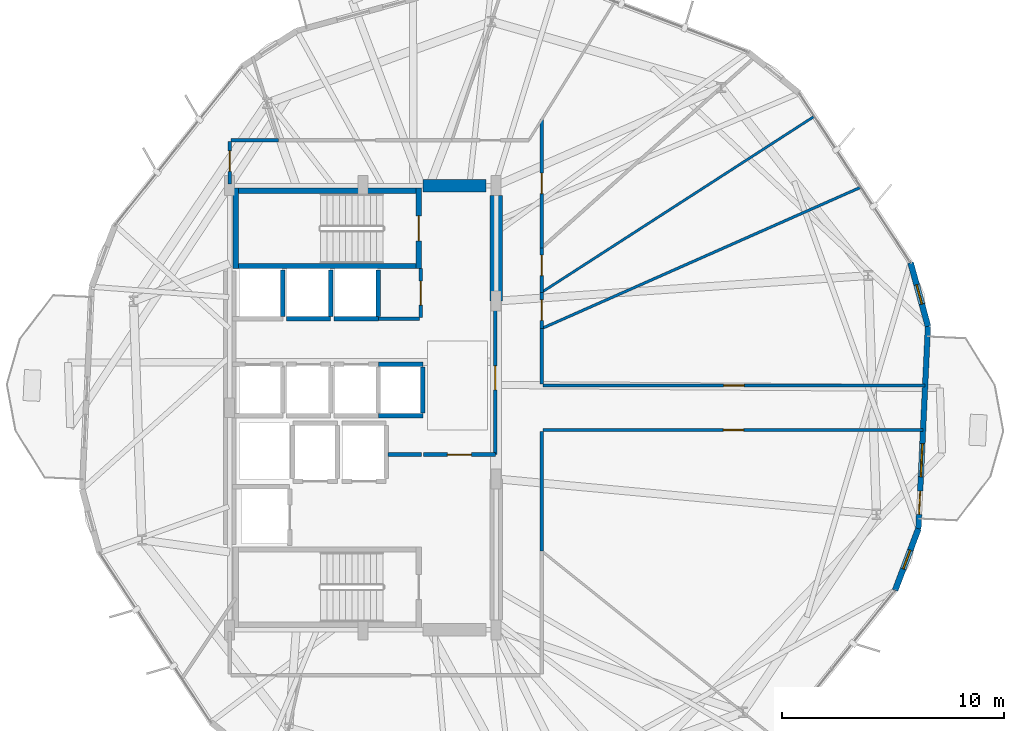
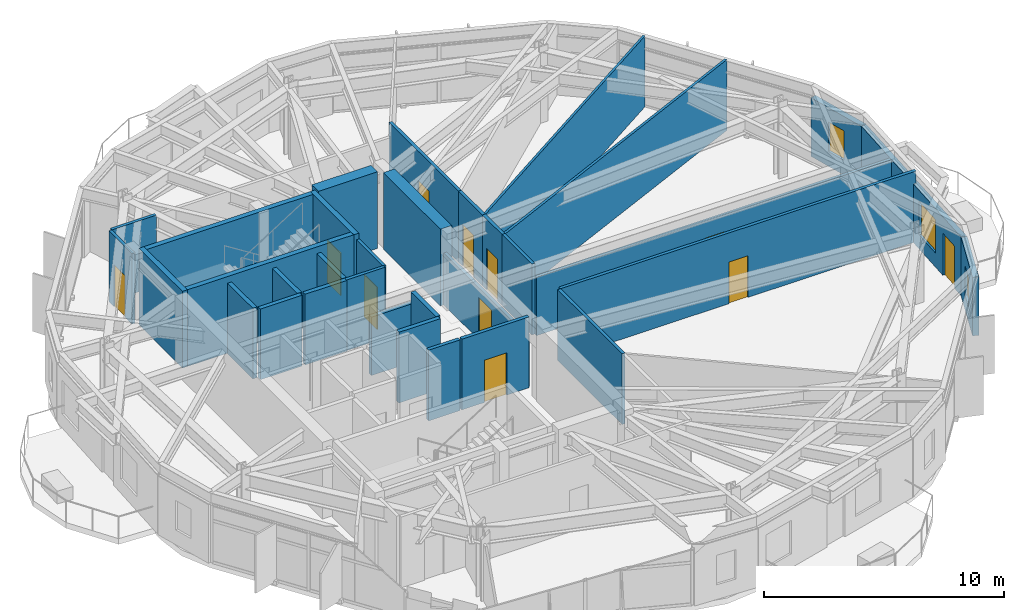
# One storey, part 21 of 25: 33 walls, 11 doors, 3 windows, 14 openings.
"""IFC4 building model written with IfcOpenShell, lengths in metres."""

from ifc_helpers import new_model, si_unit, direction, frame, frame_2d, origin, place, context, subcontext, project, spatial, rectangle, extrude, material, layer, layer_set, type_object, element, fill, save


model = new_model("IFC4")

# Units and contexts
model_context = context("Model", 3, precision=1e-05, world=origin(), true_north=direction((0.0, 1.0)))
body_context = subcontext(model_context, "Body", "Model", "MODEL_VIEW")
ifc_project = project(units=[si_unit("LENGTHUNIT", "METRE"), si_unit("AREAUNIT", "SQUARE_METRE"), si_unit("VOLUMEUNIT", "CUBIC_METRE"), si_unit("PLANEANGLEUNIT", "RADIAN"), si_unit("MASSUNIT", "GRAM", prefix="KILO")], contexts=[model_context])

# Site, building, storey
site_placement = place(None, origin())
site = spatial("IfcSite", under=ifc_project, at=site_placement, CompositionType="ELEMENT")
building_placement = place(site_placement, origin())
building = spatial("IfcBuilding", under=site, at=building_placement, Name="Soratama Intermodal Tower", CompositionType="ELEMENT")
storey_placement = place(building_placement, frame((0.0, 0.0, 87.39990234375)))
storey = spatial("IfcBuildingStorey", under=building, at=storey_placement, Name="L20", CompositionType="ELEMENT", Elevation=87.39990234375)

# Wall, openings, door, window
ifc_material_1 = material(Name="Concrete f'c 42 MPa", Category="concrete")
ifc_layer_1 = layer(ifc_material_1, 0.25)
ifc_layer_set_1 = layer_set([ifc_layer_1], Name="Concrete f'c 42 MPa")
wall_type_1 = type_object("IfcWallType", Name="EW-BAL-250", PredefinedType="SOLIDWALL", material=ifc_layer_set_1)
wall_1_placement = place(storey_placement, frame((63.61279296875, 19.552490234375, 0.0), z_axis=(0.0, 0.0, 1.0), x_axis=(0.047119184575, 0.998889274367, 0.0)))
wall_1 = element("IfcWall", 1, at=wall_1_placement, inside=storey, type_object=wall_type_1, Name="L20 Terrace Wall F10", PredefinedType="SOLIDWALL", context=body_context, shape_type="SweptSolid", body=[
    extrude(rectangle(XDim=9.129638671875, YDim=0.25, at=frame_2d((4.56494140625, 0.0))), origin(), (0.0, 0.0, 1.0), 2.97900390625),
])
opening_1_placement = place(wall_1_placement, frame((0.64990234375, 0.0, 0.0)))
opening_1 = element("IfcOpeningElement", 2, at=opening_1_placement, cuts=wall_1, Name="Opening ED-5", PredefinedType="OPENING", context=body_context, shape_type="SweptSolid", body=[
    extrude(rectangle(XDim=1.050048828125, YDim=2.14990234375, at=frame_2d((0.52490234375, 1.074951171875))), frame((0.0, 0.135009765625, 0.0), z_axis=(0.0, -1.0, 0.0), x_axis=(1.0, 0.0, 0.0)), (0.0, 0.0, 1.0), 0.27001953125),
])
opening_2_placement = place(wall_1_placement, frame((2.340087890625, 0.0, 0.719970703125)))
opening_2 = element("IfcOpeningElement", 3, at=opening_2_placement, cuts=wall_1, Name="Opening WN-1", PredefinedType="OPENING", context=body_context, shape_type="SweptSolid", body=[
    extrude(rectangle(XDim=1.5, YDim=1.699951171875, at=frame_2d((0.75, 0.85009765625))), frame((0.0, 0.135009765625, 0.0), z_axis=(0.0, -1.0, 0.0), x_axis=(1.0, 0.0, 0.0)), (0.0, 0.0, 1.0), 0.27001953125),
])
ifc_material_2 = material(Name="Double-glazed aluminium door", Category="aluminium")
door_type_1 = type_object("IfcDoorType", Name="DR-BAL-1050", OperationType="NOTDEFINED", PredefinedType="DOOR", material=ifc_material_2)
door_1_placement = place(opening_1_placement, origin())
door_1 = element("IfcDoor", 4, at=door_1_placement, inside=storey, type_object=door_type_1, Name="L20 Balcony Door F10", OperationType="SINGLE_SWING_RIGHT", OverallHeight=2.14990234375, OverallWidth=1.050048828125, PredefinedType="DOOR", context=body_context, shape_type="SweptSolid", body=[
    extrude(rectangle(XDim=1.050048828125, YDim=2.14990234375, at=frame_2d((0.52490234375, 1.074951171875))), frame((0.0, 0.02490234375, 0.0), z_axis=(0.0, -1.0, 0.0), x_axis=(1.0, 0.0, 0.0)), (0.0, 0.0, 1.0), 0.050048828125),
])
fill(opening_1, door_1)
ifc_material_3 = material(Name="Double-glazed aluminium window", Category="aluminium")
window_type_1 = type_object("IfcWindowType", Name="WN-FAC-1500", PartitioningType="SINGLE_PANEL", PredefinedType="WINDOW", material=ifc_material_3)
window_1_placement = place(opening_2_placement, origin())
window_1 = element("IfcWindow", 5, at=window_1_placement, inside=storey, type_object=window_type_1, Name="L20 Window B F10", OverallHeight=1.699951171875, OverallWidth=1.5, PartitioningType="SINGLE_PANEL", PredefinedType="WINDOW", context=body_context, shape_type="SweptSolid", body=[
    extrude(rectangle(XDim=1.5, YDim=1.699951171875, at=frame_2d((0.75, 0.85009765625))), frame((0.0, 0.030029296875, 0.0), z_axis=(0.0, -1.0, 0.0), x_axis=(1.0, 0.0, 0.0)), (0.0, 0.0, 1.0), 0.06005859375),
])
fill(opening_2, window_1)

# Wall, opening, window
ifc_material_4 = material(Name="Concrete f'c 42 MPa", Category="concrete")
ifc_layer_2 = layer(ifc_material_4, 0.27001953125)
ifc_layer_set_2 = layer_set([ifc_layer_2], Name="Concrete f'c 42 MPa")
wall_type_2 = type_object("IfcWallType", Name="EW-CRN-270", PredefinedType="SOLIDWALL", material=ifc_layer_set_2)
wall_2_placement = place(storey_placement, frame((62.564208984375, 16.77734375, 0.0), z_axis=(0.0, 0.0, 1.0), x_axis=(0.35345818185, 0.935450326679, 0.0)))
wall_2 = element("IfcWall", 6, at=wall_2_placement, inside=storey, type_object=wall_type_2, Name="L20 Corner Closure Wall 09", PredefinedType="SOLIDWALL", context=body_context, shape_type="SweptSolid", body=[
    extrude(rectangle(XDim=2.966552734375, YDim=0.27001953125, at=frame_2d((1.4833984375, 0.0))), origin(), (0.0, 0.0, 1.0), 2.97900390625),
])
opening_3_placement = place(wall_2_placement, frame((1.033203125, 0.0, 0.75)))
opening_3 = element("IfcOpeningElement", 7, at=opening_3_placement, cuts=wall_2, Name="Opening WN-6", PredefinedType="OPENING", context=body_context, shape_type="SweptSolid", body=[
    extrude(rectangle(XDim=0.89990234375, YDim=1.5, at=frame_2d((0.449951171875, 0.75))), frame((0.0, 0.14501953125, 0.0), z_axis=(0.0, -1.0, 0.0), x_axis=(1.0, 0.0, 0.0)), (0.0, 0.0, 1.0), 0.2900390625),
])
ifc_material_5 = material(Name="Double-glazed aluminium window", Category="aluminium")
window_type_2 = type_object("IfcWindowType", Name="WN-FAC-900", PartitioningType="SINGLE_PANEL", PredefinedType="WINDOW", material=ifc_material_5)
window_2_placement = place(opening_3_placement, origin())
window_2 = element("IfcWindow", 8, at=window_2_placement, inside=storey, type_object=window_type_2, Name="L20 Corner Window 09", OverallHeight=1.5, OverallWidth=0.89990234375, PartitioningType="SINGLE_PANEL", PredefinedType="WINDOW", context=body_context, shape_type="SweptSolid", body=[
    extrude(rectangle(XDim=0.89990234375, YDim=1.5, at=frame_2d((0.449951171875, 0.75))), frame((0.0, 0.030029296875, 0.0), z_axis=(0.0, -1.0, 0.0), x_axis=(1.0, 0.0, 0.0)), (0.0, 0.0, 1.0), 0.06005859375),
])
fill(opening_3, window_2)

wall_3_placement = place(storey_placement, frame((64.04296875, 28.671875, 0.0), z_axis=(0.0, 0.0, 1.0), x_axis=(-0.263855501226, 0.964562219078, 0.0)))
wall_3 = element("IfcWall", 9, at=wall_3_placement, inside=storey, type_object=wall_type_2, Name="L20 Corner Closure Wall 10", PredefinedType="SOLIDWALL", context=body_context, shape_type="SweptSolid", body=[
    extrude(rectangle(XDim=2.966552734375, YDim=0.27001953125, at=frame_2d((1.4833984375, 0.0))), origin(), (0.0, 0.0, 1.0), 2.97900390625),
])
opening_4_placement = place(wall_3_placement, frame((1.033203125, 0.0, 0.75)))
opening_4 = element("IfcOpeningElement", 10, at=opening_4_placement, cuts=wall_3, Name="Opening WN-6", PredefinedType="OPENING", context=body_context, shape_type="SweptSolid", body=[
    extrude(rectangle(XDim=0.89990234375, YDim=1.5, at=frame_2d((0.449951171875, 0.75))), frame((0.0, 0.14501953125, 0.0), z_axis=(0.0, -1.0, 0.0), x_axis=(1.0, 0.0, 0.0)), (0.0, 0.0, 1.0), 0.2900390625),
])
window_3_placement = place(opening_4_placement, origin())
window_3 = element("IfcWindow", 11, at=window_3_placement, inside=storey, type_object=window_type_2, Name="L20 Corner Window 10", OverallHeight=1.5, OverallWidth=0.89990234375, PartitioningType="SINGLE_PANEL", PredefinedType="WINDOW", context=body_context, shape_type="SweptSolid", body=[
    extrude(rectangle(XDim=0.89990234375, YDim=1.5, at=frame_2d((0.449951171875, 0.75))), frame((0.0, 0.030029296875, 0.0), z_axis=(0.0, -1.0, 0.0), x_axis=(1.0, 0.0, 0.0)), (0.0, 0.0, 1.0), 0.06005859375),
])
fill(opening_4, window_3)

# Wall, opening, door
ifc_material_6 = material(Name="Fire-rated gypsum stud partition", Category="concrete")
ifc_layer_3 = layer(ifc_material_6, 0.14990234375)
ifc_layer_set_3 = layer_set([ifc_layer_3], Name="Fire-rated gypsum stud partition")
wall_type_3 = type_object("IfcWallType", Name="IW-PART-R150", PredefinedType="PARTITIONING", material=ifc_layer_set_3)
wall_4_placement = place(storey_placement, frame((46.719970703125, 26.0, 0.0), z_axis=(0.0, 0.0, 1.0), x_axis=(1.0, 0.0, 0.0)))
wall_4 = element("IfcWall", 12, at=wall_4_placement, inside=storey, type_object=wall_type_3, Name="L20 Partition W-L20-TP001", PredefinedType="PARTITIONING", context=body_context, shape_type="SweptSolid", body=[
    extrude(rectangle(XDim=17.197021484375, YDim=0.14990234375, at=frame_2d((8.5986328125, 0.0))), origin(), (0.0, 0.0, 1.0), 2.97412109375),
])
opening_5_placement = place(wall_4_placement, frame((8.1240234375, 0.0, 0.0)))
opening_5 = element("IfcOpeningElement", 13, at=opening_5_placement, cuts=wall_4, Name="Opening ID-6", PredefinedType="OPENING", context=body_context, shape_type="SweptSolid", body=[
    extrude(rectangle(XDim=0.919921875, YDim=2.1201171875, at=frame_2d((0.4599609375, 1.06005859375))), frame((0.0, 0.0849609375, 0.0), z_axis=(0.0, -1.0, 0.0), x_axis=(1.0, 0.0, 0.0)), (0.0, 0.0, 1.0), 0.169921875),
])
ifc_material_7 = material(Name="Solid hardwood acoustic door", Category="wood")
door_type_2 = type_object("IfcDoorType", Name="DR-ROOM-920", OperationType="NOTDEFINED", PredefinedType="DOOR", material=ifc_material_7)
door_2_placement = place(opening_5_placement, origin())
door_2 = element("IfcDoor", 14, at=door_2_placement, inside=storey, type_object=door_type_2, Name="L20 Door D-L20-TP001", OperationType="SINGLE_SWING_RIGHT", OverallHeight=2.1201171875, OverallWidth=0.919921875, PredefinedType="DOOR", context=body_context, shape_type="SweptSolid", body=[
    extrude(rectangle(XDim=0.919921875, YDim=2.1201171875, at=frame_2d((0.4599609375, 1.06005859375))), frame((0.0, 0.02490234375, 0.0), z_axis=(0.0, -1.0, 0.0), x_axis=(1.0, 0.0, 0.0)), (0.0, 0.0, 1.0), 0.050048828125),
])
fill(opening_5, door_2)

wall_5_placement = place(storey_placement, frame((63.822998046875, 24.0, 0.0), z_axis=(0.0, 0.0, 1.0), x_axis=(-1.0, 0.0, 0.0)))
wall_5 = element("IfcWall", 15, at=wall_5_placement, inside=storey, type_object=wall_type_3, Name="L20 Partition W-L20-TP002", PredefinedType="PARTITIONING", context=body_context, shape_type="SweptSolid", body=[
    extrude(rectangle(XDim=17.10302734375, YDim=0.14990234375, at=frame_2d((8.551513671875, 0.0))), origin(), (0.0, 0.0, 1.0), 3.60009765625),
])
opening_6_placement = place(wall_5_placement, frame((8.076904296875, 0.0, 0.0)))
opening_6 = element("IfcOpeningElement", 16, at=opening_6_placement, cuts=wall_5, Name="Opening ID-6", PredefinedType="OPENING", context=body_context, shape_type="SweptSolid", body=[
    extrude(rectangle(XDim=0.919921875, YDim=2.1201171875, at=frame_2d((0.4599609375, 1.06005859375))), frame((0.0, 0.0849609375, 0.0), z_axis=(0.0, -1.0, 0.0), x_axis=(1.0, 0.0, 0.0)), (0.0, 0.0, 1.0), 0.169921875),
])
door_3_placement = place(opening_6_placement, origin())
door_3 = element("IfcDoor", 17, at=door_3_placement, inside=storey, type_object=door_type_2, Name="L20 Door D-L20-TP002", OperationType="SINGLE_SWING_LEFT", OverallHeight=2.1201171875, OverallWidth=0.919921875, PredefinedType="DOOR", context=body_context, shape_type="SweptSolid", body=[
    extrude(rectangle(XDim=0.919921875, YDim=2.1201171875, at=frame_2d((0.4599609375, 1.06005859375))), frame((0.0, 0.02490234375, 0.0), z_axis=(0.0, -1.0, 0.0), x_axis=(1.0, 0.0, 0.0)), (0.0, 0.0, 1.0), 0.050048828125),
])
fill(opening_6, door_3)

wall_6_placement = place(storey_placement, frame((44.56005859375, 29.800048828125, 0.0), z_axis=(0.0, 0.0, 1.0), x_axis=(0.0, -1.0, 0.0)))
wall_6 = element("IfcWall", 18, at=wall_6_placement, inside=storey, type_object=wall_type_3, Name="L20 Partition W-L20-TP011", PredefinedType="PARTITIONING", context=body_context, shape_type="SweptSolid", body=[
    extrude(rectangle(XDim=6.91015625, YDim=0.14990234375, at=frame_2d((3.455078125, 0.0))), origin(), (0.0, 0.0, 1.0), 2.64013671875),
])
opening_7_placement = place(wall_6_placement, frame((2.9150390625, 0.0, 0.0)))
opening_7 = element("IfcOpeningElement", 19, at=opening_7_placement, cuts=wall_6, Name="Opening ID-1", PredefinedType="OPENING", context=body_context, shape_type="SweptSolid", body=[
    extrude(rectangle(XDim=1.080078125, YDim=2.14990234375, at=frame_2d((0.5400390625, 1.074951171875))), frame((0.0, 0.0849609375, 0.0), z_axis=(0.0, -1.0, 0.0), x_axis=(1.0, 0.0, 0.0)), (0.0, 0.0, 1.0), 0.169921875),
])
ifc_material_8 = material(Name="Solid hardwood acoustic door", Category="wood")
door_type_3 = type_object("IfcDoorType", Name="DR-LOB-FD60", OperationType="NOTDEFINED", PredefinedType="DOOR", material=ifc_material_8)
door_4_placement = place(opening_7_placement, origin())
door_4 = element("IfcDoor", 20, at=door_4_placement, inside=storey, type_object=door_type_3, Name="L20 Door D-L20-TP005", OperationType="SINGLE_SWING_RIGHT", OverallHeight=2.14990234375, OverallWidth=1.080078125, PredefinedType="DOOR", context=body_context, shape_type="SweptSolid", body=[
    extrude(rectangle(XDim=1.080078125, YDim=2.14990234375, at=frame_2d((0.5400390625, 1.074951171875))), frame((0.0, 0.02490234375, 0.0), z_axis=(0.0, -1.0, 0.0), x_axis=(1.0, 0.0, 0.0)), (0.0, 0.0, 1.0), 0.050048828125),
])
fill(opening_7, door_4)

wall_7_placement = place(storey_placement, frame((46.64990234375, 37.972900390625, 0.0), z_axis=(0.0, 0.0, 1.0), x_axis=(0.0, -1.0, 0.0)))
wall_7 = element("IfcWall", 21, at=wall_7_placement, inside=storey, type_object=wall_type_3, Name="L20 Partition W-L20-TP012", PredefinedType="PARTITIONING", context=body_context, shape_type="SweptSolid", body=[
    extrude(rectangle(XDim=5.77392578125, YDim=0.14990234375, at=frame_2d((2.886962890625, 0.0))), origin(), (0.0, 0.0, 1.0), 3.60009765625),
])
opening_8_placement = place(wall_7_placement, frame((2.412109375, 0.0, 0.0)))
opening_8 = element("IfcOpeningElement", 22, at=opening_8_placement, cuts=wall_7, Name="Opening ID-6", PredefinedType="OPENING", context=body_context, shape_type="SweptSolid", body=[
    extrude(rectangle(XDim=0.919921875, YDim=2.1201171875, at=frame_2d((0.4599609375, 1.06005859375))), frame((0.0, 0.0849609375, 0.0), z_axis=(0.0, -1.0, 0.0), x_axis=(1.0, 0.0, 0.0)), (0.0, 0.0, 1.0), 0.169921875),
])
door_5_placement = place(opening_8_placement, origin())
door_5 = element("IfcDoor", 23, at=door_5_placement, inside=storey, type_object=door_type_2, Name="L20 Door D-L20-TP006", OperationType="SINGLE_SWING_LEFT", OverallHeight=2.1201171875, OverallWidth=0.919921875, PredefinedType="DOOR", context=body_context, shape_type="SweptSolid", body=[
    extrude(rectangle(XDim=0.919921875, YDim=2.1201171875, at=frame_2d((0.4599609375, 1.06005859375))), frame((0.0, 0.02490234375, 0.0), z_axis=(0.0, -1.0, 0.0), x_axis=(1.0, 0.0, 0.0)), (0.0, 0.0, 1.0), 0.050048828125),
])
fill(opening_8, door_5)

# Walls
wall_8_placement = place(storey_placement, frame((46.64990234375, 23.929931640625, 0.0), z_axis=(0.0, 0.0, 1.0), x_axis=(0.0, -1.0, 0.0)))
element("IfcWall", 24, at=wall_8_placement, inside=storey, type_object=wall_type_3, Name="L20 Partition W-L20-TP014", PredefinedType="PARTITIONING", context=body_context, shape_type="SweptSolid", body=[
    extrude(rectangle(XDim=5.3798828125, YDim=0.14990234375, at=frame_2d((2.68994140625, 0.0))), origin(), (0.0, 0.0, 1.0), 3.60009765625),
])
wall_9_placement = place(storey_placement, frame((46.64990234375, 28.56591796875, 0.0), z_axis=(0.0, 0.0, 1.0), x_axis=(0.0, -1.0, 0.0)))
element("IfcWall", 25, at=wall_9_placement, inside=storey, type_object=wall_type_3, Name="L20 Partition W-L20-TP021", PredefinedType="PARTITIONING", context=body_context, shape_type="SweptSolid", body=[
    extrude(rectangle(XDim=2.495849609375, YDim=0.14990234375, at=frame_2d((1.248046875, 0.0))), origin(), (0.0, 0.0, 1.0), 3.60009765625),
])

# Wall, opening, door
wall_10_placement = place(storey_placement, frame((41.199951171875, 29.070068359375, 0.0), z_axis=(0.0, 0.0, 1.0), x_axis=(0.0, 1.0, 0.0)))
wall_10 = element("IfcWall", 26, at=wall_10_placement, inside=storey, type_object=wall_type_3, Name="L20 Partition W-L20-TP022", PredefinedType="PARTITIONING", context=body_context, shape_type="SweptSolid", body=[
    extrude(rectangle(XDim=2.18994140625, YDim=0.14990234375, at=frame_2d((1.094970703125, 0.0))), origin(), (0.0, 0.0, 1.0), 3.60009765625),
])
opening_9_placement = place(wall_10_placement, frame((0.554931640625, 0.0, 0.0)))
opening_9 = element("IfcOpeningElement", 27, at=opening_9_placement, cuts=wall_10, Name="Opening ID-1", PredefinedType="OPENING", context=body_context, shape_type="SweptSolid", body=[
    extrude(rectangle(XDim=1.080078125, YDim=2.14990234375, at=frame_2d((0.5400390625, 1.074951171875))), frame((0.0, 0.0849609375, 0.0), z_axis=(0.0, -1.0, 0.0), x_axis=(1.0, 0.0, 0.0)), (0.0, 0.0, 1.0), 0.169921875),
])
door_6_placement = place(opening_9_placement, origin())
door_6 = element("IfcDoor", 28, at=door_6_placement, inside=storey, type_object=door_type_3, Name="L20 Door D-L20-TP010", OperationType="SINGLE_SWING_LEFT", OverallHeight=2.14990234375, OverallWidth=1.080078125, PredefinedType="DOOR", context=body_context, shape_type="SweptSolid", body=[
    extrude(rectangle(XDim=1.080078125, YDim=2.14990234375, at=frame_2d((0.5400390625, 1.074951171875))), frame((0.0, 0.02490234375, 0.0), z_axis=(0.0, -1.0, 0.0), x_axis=(1.0, 0.0, 0.0)), (0.0, 0.0, 1.0), 0.050048828125),
])
fill(opening_9, door_6)

# Wall
wall_11_placement = place(storey_placement, frame((32.669921875, 37.050048828125, 0.0), z_axis=(0.0, 0.0, 1.0), x_axis=(1.0, 0.0, 0.0)))
element("IfcWall", 29, at=wall_11_placement, inside=storey, type_object=wall_type_3, Name="L20 Partition W-L20-TP023", PredefinedType="PARTITIONING", context=body_context, shape_type="SweptSolid", body=[
    extrude(rectangle(XDim=2.14013671875, YDim=0.14990234375, at=frame_2d((1.070068359375, 0.0))), origin(), (0.0, 0.0, 1.0), 3.60009765625),
])

# Wall, opening, door
wall_12_placement = place(storey_placement, frame((46.64990234375, 32.198974609375, 0.0), z_axis=(0.0, 0.0, 1.0), x_axis=(0.0, -1.0, 0.0)))
wall_12 = element("IfcWall", 30, at=wall_12_placement, inside=storey, type_object=wall_type_3, Name="L20 Partition W-L20-TP024", PredefinedType="PARTITIONING", context=body_context, shape_type="SweptSolid", body=[
    extrude(rectangle(XDim=2.001953125, YDim=0.14990234375, at=frame_2d((1.0009765625, 0.0))), origin(), (0.0, 0.0, 1.0), 3.60009765625),
])
opening_10_placement = place(wall_12_placement, frame((0.325927734375, 0.0, 0.0)))
opening_10 = element("IfcOpeningElement", 31, at=opening_10_placement, cuts=wall_12, Name="Opening ID-6", PredefinedType="OPENING", context=body_context, shape_type="SweptSolid", body=[
    extrude(rectangle(XDim=0.919921875, YDim=2.1201171875, at=frame_2d((0.4599609375, 1.06005859375))), frame((0.0, 0.0849609375, 0.0), z_axis=(0.0, -1.0, 0.0), x_axis=(1.0, 0.0, 0.0)), (0.0, 0.0, 1.0), 0.169921875),
])
door_7_placement = place(opening_10_placement, origin())
door_7 = element("IfcDoor", 32, at=door_7_placement, inside=storey, type_object=door_type_2, Name="L20 Door D-L20-TP011", OperationType="SINGLE_SWING_RIGHT", OverallHeight=2.1201171875, OverallWidth=0.919921875, PredefinedType="DOOR", context=body_context, shape_type="SweptSolid", body=[
    extrude(rectangle(XDim=0.919921875, YDim=2.1201171875, at=frame_2d((0.4599609375, 1.06005859375))), frame((0.0, 0.02490234375, 0.0), z_axis=(0.0, -1.0, 0.0), x_axis=(1.0, 0.0, 0.0)), (0.0, 0.0, 1.0), 0.050048828125),
])
fill(opening_10, door_7)

wall_13_placement = place(storey_placement, frame((32.60009765625, 35.070068359375, 0.0), z_axis=(0.0, 0.0, 1.0), x_axis=(0.0, 1.0, 0.0)))
wall_13 = element("IfcWall", 33, at=wall_13_placement, inside=storey, type_object=wall_type_3, Name="L20 Partition W-L20-TP026", PredefinedType="PARTITIONING", context=body_context, shape_type="SweptSolid", body=[
    extrude(rectangle(XDim=1.909912109375, YDim=0.14990234375, at=frame_2d((0.955078125, 0.0))), origin(), (0.0, 0.0, 1.0), 3.60009765625),
])
opening_11_placement = place(wall_13_placement, frame((0.574951171875, 0.0, 0.0)))
opening_11 = element("IfcOpeningElement", 34, at=opening_11_placement, cuts=wall_13, Name="Opening ID-6", PredefinedType="OPENING", context=body_context, shape_type="SweptSolid", body=[
    extrude(rectangle(XDim=0.919921875, YDim=2.1201171875, at=frame_2d((0.4599609375, 1.06005859375))), frame((0.0, 0.0849609375, 0.0), z_axis=(0.0, -1.0, 0.0), x_axis=(1.0, 0.0, 0.0)), (0.0, 0.0, 1.0), 0.169921875),
])
door_8_placement = place(opening_11_placement, origin())
door_8 = element("IfcDoor", 35, at=door_8_placement, inside=storey, type_object=door_type_2, Name="L20 Door D-L20-TP012", OperationType="SINGLE_SWING_LEFT", OverallHeight=2.1201171875, OverallWidth=0.919921875, PredefinedType="DOOR", context=body_context, shape_type="SweptSolid", body=[
    extrude(rectangle(XDim=0.919921875, YDim=2.1201171875, at=frame_2d((0.4599609375, 1.06005859375))), frame((0.0, 0.02490234375, 0.0), z_axis=(0.0, -1.0, 0.0), x_axis=(1.0, 0.0, 0.0)), (0.0, 0.0, 1.0), 0.050048828125),
])
fill(opening_11, door_8)

# Wall
wall_14_placement = place(storey_placement, frame((39.300048828125, 29.010009765625, 0.0), z_axis=(0.0, 0.0, 1.0), x_axis=(1.0, 0.0, 0.0)))
element("IfcWall", 36, at=wall_14_placement, inside=storey, type_object=wall_type_3, Name="L20 Partition W-L20-TP027", PredefinedType="PARTITIONING", context=body_context, shape_type="SweptSolid", body=[
    extrude(rectangle(XDim=1.85986328125, YDim=0.14990234375, at=frame_2d((0.929931640625, 0.0))), origin(), (0.0, 0.0, 1.0), 3.60009765625),
])

# Wall, opening, door
wall_15_placement = place(storey_placement, frame((46.64990234375, 30.197021484375, 0.0), z_axis=(0.0, 0.0, 1.0), x_axis=(0.0, -1.0, 0.0)))
wall_15 = element("IfcWall", 37, at=wall_15_placement, inside=storey, type_object=wall_type_3, Name="L20 Partition W-L20-TP028", PredefinedType="PARTITIONING", context=body_context, shape_type="SweptSolid", body=[
    extrude(rectangle(XDim=1.631103515625, YDim=0.14990234375, at=frame_2d((0.8154296875, 0.0))), origin(), (0.0, 0.0, 1.0), 3.60009765625),
])
opening_12_placement = place(wall_15_placement, frame((0.341064453125, 0.0, 0.0)))
opening_12 = element("IfcOpeningElement", 38, at=opening_12_placement, cuts=wall_15, Name="Opening ID-6", PredefinedType="OPENING", context=body_context, shape_type="SweptSolid", body=[
    extrude(rectangle(XDim=0.919921875, YDim=2.1201171875, at=frame_2d((0.4599609375, 1.06005859375))), frame((0.0, 0.0849609375, 0.0), z_axis=(0.0, -1.0, 0.0), x_axis=(1.0, 0.0, 0.0)), (0.0, 0.0, 1.0), 0.169921875),
])
door_9_placement = place(opening_12_placement, origin())
door_9 = element("IfcDoor", 39, at=door_9_placement, inside=storey, type_object=door_type_2, Name="L20 Door D-L20-TP013", OperationType="SINGLE_SWING_RIGHT", OverallHeight=2.1201171875, OverallWidth=0.919921875, PredefinedType="DOOR", context=body_context, shape_type="SweptSolid", body=[
    extrude(rectangle(XDim=0.919921875, YDim=2.1201171875, at=frame_2d((0.4599609375, 1.06005859375))), frame((0.0, 0.02490234375, 0.0), z_axis=(0.0, -1.0, 0.0), x_axis=(1.0, 0.0, 0.0)), (0.0, 0.0, 1.0), 0.050048828125),
])
fill(opening_12, door_9)

ifc_material_9 = material(Name="Fire-rated gypsum stud partition", Category="concrete")
ifc_layer_4 = layer(ifc_material_9, 0.169921875)
ifc_layer_set_4 = layer_set([ifc_layer_4], Name="Fire-rated gypsum stud partition")
wall_type_4 = type_object("IfcWallType", Name="IW-PART-R170", PredefinedType="PARTITIONING", material=ifc_layer_set_4)
wall_16_placement = place(storey_placement, frame((41.320068359375, 22.889892578125, 0.0), z_axis=(0.0, 0.0, 1.0), x_axis=(1.0, 0.0, 0.0)))
wall_16 = element("IfcWall", 40, at=wall_16_placement, inside=storey, type_object=wall_type_4, Name="L20 Partition W-L20-TP019", PredefinedType="PARTITIONING", context=body_context, shape_type="SweptSolid", body=[
    extrude(rectangle(XDim=3.239990234375, YDim=0.169921875, at=frame_2d((1.6201171875, 0.0))), origin(), (0.0, 0.0, 1.0), 3.60009765625),
])
opening_13_placement = place(wall_16_placement, frame((1.080078125, 0.0, 0.0)))
opening_13 = element("IfcOpeningElement", 41, at=opening_13_placement, cuts=wall_16, Name="Opening ID-0", PredefinedType="OPENING", context=body_context, shape_type="SweptSolid", body=[
    extrude(rectangle(XDim=1.080078125, YDim=2.14990234375, at=frame_2d((0.5400390625, 1.074951171875))), frame((0.0, 0.094970703125, 0.0), z_axis=(0.0, -1.0, 0.0), x_axis=(1.0, 0.0, 0.0)), (0.0, 0.0, 1.0), 0.18994140625),
])
ifc_material_10 = material(Name="Solid hardwood acoustic door", Category="wood")
door_type_4 = type_object("IfcDoorType", Name="DR-LOB-FD90", OperationType="NOTDEFINED", PredefinedType="DOOR", material=ifc_material_10)
door_10_placement = place(opening_13_placement, origin())
door_10 = element("IfcDoor", 42, at=door_10_placement, inside=storey, type_object=door_type_4, Name="L20 Door D-L20-TP008", OperationType="SINGLE_SWING_LEFT", OverallHeight=2.14990234375, OverallWidth=1.080078125, PredefinedType="DOOR", context=body_context, shape_type="SweptSolid", body=[
    extrude(rectangle(XDim=1.080078125, YDim=2.14990234375, at=frame_2d((0.5400390625, 1.074951171875))), frame((0.0, 0.02490234375, 0.0), z_axis=(0.0, -1.0, 0.0), x_axis=(1.0, 0.0, 0.0)), (0.0, 0.0, 1.0), 0.050048828125),
])
fill(opening_13, door_10)

# Walls
wall_17_placement = place(storey_placement, frame((39.719970703125, 22.889892578125, 0.0), z_axis=(0.0, 0.0, 1.0), x_axis=(1.0, 0.0, 0.0)))
element("IfcWall", 43, at=wall_17_placement, inside=storey, type_object=wall_type_4, Name="L20 Partition W-L20-TP029", PredefinedType="PARTITIONING", context=body_context, shape_type="SweptSolid", body=[
    extrude(rectangle(XDim=1.52001953125, YDim=0.169921875, at=frame_2d((0.760009765625, 0.0))), origin(), (0.0, 0.0, 1.0), 3.60009765625),
])
ifc_material_11 = material(Name="Fire-rated gypsum stud partition", Category="concrete")
ifc_layer_5 = layer(ifc_material_11, 0.110107421875)
ifc_layer_set_5 = layer_set([ifc_layer_5], Name="Fire-rated gypsum stud partition")
wall_type_5 = type_object("IfcWallType", Name="IW-PART-S110", PredefinedType="PARTITIONING", material=ifc_layer_set_5)
wall_18_placement = place(storey_placement, frame((46.64990234375, 30.197021484375, 0.0), z_axis=(0.0, 0.0, 1.0), x_axis=(0.840128967458, 0.542386686818, 0.0)))
element("IfcWall", 44, at=wall_18_placement, inside=storey, type_object=wall_type_5, Name="L20 Partition W-L20-TP004", PredefinedType="PARTITIONING", context=body_context, shape_type="SweptSolid", body=[
    extrude(rectangle(XDim=14.616943359375, YDim=0.110107421875, at=frame_2d((7.30859375, 0.0))), origin(), (0.0, 0.0, 1.0), 3.60009765625),
])
ifc_material_12 = material(Name="Fire-rated gypsum stud partition", Category="concrete")
ifc_layer_6 = layer(ifc_material_12, 0.1201171875)
ifc_layer_set_6 = layer_set([ifc_layer_6], Name="Fire-rated gypsum stud partition")
wall_type_6 = type_object("IfcWallType", Name="IW-PART-S120", PredefinedType="PARTITIONING", material=ifc_layer_set_6)
wall_19_placement = place(storey_placement, frame((46.64990234375, 28.56591796875, 0.0), z_axis=(0.0, 0.0, 1.0), x_axis=(0.91434602256, 0.404933761286, 0.0)))
element("IfcWall", 45, at=wall_19_placement, inside=storey, type_object=wall_type_6, Name="L20 Partition W-L20-TP003", PredefinedType="PARTITIONING", context=body_context, shape_type="SweptSolid", body=[
    extrude(rectangle(XDim=15.72412109375, YDim=0.1201171875, at=frame_2d((7.862060546875, 0.0))), origin(), (0.0, 0.0, 1.0), 3.60009765625),
])
ifc_material_13 = material(Name="Concrete f'c 42 MPa", Category="concrete")
ifc_layer_7 = layer(ifc_material_13, 0.199951171875)
ifc_layer_set_7 = layer_set([ifc_layer_7], Name="Concrete f'c 42 MPa")
wall_type_7 = type_object("IfcWallType", Name="IW-SHAFT-200", PredefinedType="SOLIDWALL", material=ifc_layer_set_7)
wall_20_placement = place(storey_placement, frame((39.300048828125, 24.64990234375, 0.0), z_axis=(0.0, 0.0, 1.0), x_axis=(1.0, 0.0, 0.0)))
element("IfcWall", 46, at=wall_20_placement, inside=storey, type_object=wall_type_7, Name="L20 PL-M1 Hoistway Wall S", PredefinedType="SOLIDWALL", context=body_context, shape_type="SweptSolid", body=[
    extrude(rectangle(XDim=2.0, YDim=0.199951171875, at=frame_2d((1.0, 0.0))), origin(), (0.0, 0.0, 1.0), 3.60009765625),
])
wall_21_placement = place(storey_placement, frame((39.300048828125, 26.949951171875, 0.0), z_axis=(0.0, 0.0, 1.0), x_axis=(1.0, 0.0, 0.0)))
element("IfcWall", 47, at=wall_21_placement, inside=storey, type_object=wall_type_7, Name="L20 PL-M1 Hoistway Wall N", PredefinedType="SOLIDWALL", context=body_context, shape_type="SweptSolid", body=[
    extrude(rectangle(XDim=2.0, YDim=0.199951171875, at=frame_2d((1.0, 0.0))), origin(), (0.0, 0.0, 1.0), 2.97412109375),
])
wall_22_placement = place(storey_placement, frame((41.300048828125, 24.760009765625, 0.0), z_axis=(0.0, 0.0, 1.0), x_axis=(0.0, 1.0, 0.0)))
element("IfcWall", 48, at=wall_22_placement, inside=storey, type_object=wall_type_7, Name="L20 PL-M1 Hoistway Wall E", PredefinedType="SOLIDWALL", context=body_context, shape_type="SweptSolid", body=[
    extrude(rectangle(XDim=2.080078125, YDim=0.199951171875, at=frame_2d((1.0400390625, 0.0))), origin(), (0.0, 0.0, 1.0), 3.60009765625),
])
wall_23_placement = place(storey_placement, frame((35.0, 29.110107421875, 0.0), z_axis=(0.0, 0.0, 1.0), x_axis=(0.0, 1.0, 0.0)))
element("IfcWall", 49, at=wall_23_placement, inside=storey, type_object=wall_type_7, Name="L20 PL-M2 Hoistway Wall E", PredefinedType="SOLIDWALL", context=body_context, shape_type="SweptSolid", body=[
    extrude(rectangle(XDim=2.099853515625, YDim=0.199951171875, at=frame_2d((1.0498046875, 0.0))), origin(), (0.0, 0.0, 1.0), 3.60009765625),
])
wall_24_placement = place(storey_placement, frame((35.14990234375, 29.0, 0.0), z_axis=(0.0, 0.0, 1.0), x_axis=(1.0, 0.0, 0.0)))
element("IfcWall", 50, at=wall_24_placement, inside=storey, type_object=wall_type_7, Name="L20 PL-H1 Hoistway Wall S", PredefinedType="SOLIDWALL", context=body_context, shape_type="SweptSolid", body=[
    extrude(rectangle(XDim=2.0, YDim=0.199951171875, at=frame_2d((1.0, 0.0))), origin(), (0.0, 0.0, 1.0), 3.60009765625),
])
wall_25_placement = place(storey_placement, frame((37.14990234375, 29.110107421875, 0.0), z_axis=(0.0, 0.0, 1.0), x_axis=(0.0, 1.0, 0.0)))
element("IfcWall", 51, at=wall_25_placement, inside=storey, type_object=wall_type_7, Name="L20 PL-H1 Hoistway Wall E", PredefinedType="SOLIDWALL", context=body_context, shape_type="SweptSolid", body=[
    extrude(rectangle(XDim=2.099853515625, YDim=0.199951171875, at=frame_2d((1.0498046875, 0.0))), origin(), (0.0, 0.0, 1.0), 3.60009765625),
])
wall_26_placement = place(storey_placement, frame((37.300048828125, 29.0, 0.0), z_axis=(0.0, 0.0, 1.0), x_axis=(1.0, 0.0, 0.0)))
element("IfcWall", 52, at=wall_26_placement, inside=storey, type_object=wall_type_7, Name="L20 PL-H2 Hoistway Wall S", PredefinedType="SOLIDWALL", context=body_context, shape_type="SweptSolid", body=[
    extrude(rectangle(XDim=2.0, YDim=0.199951171875, at=frame_2d((1.0, 0.0))), origin(), (0.0, 0.0, 1.0), 3.60009765625),
])
wall_27_placement = place(storey_placement, frame((39.300048828125, 29.110107421875, 0.0), z_axis=(0.0, 0.0, 1.0), x_axis=(0.0, 1.0, 0.0)))
element("IfcWall", 53, at=wall_27_placement, inside=storey, type_object=wall_type_7, Name="L20 PL-H2 Hoistway Wall E", PredefinedType="SOLIDWALL", context=body_context, shape_type="SweptSolid", body=[
    extrude(rectangle(XDim=2.099853515625, YDim=0.199951171875, at=frame_2d((1.0498046875, 0.0))), origin(), (0.0, 0.0, 1.0), 3.60009765625),
])
ifc_material_14 = material(Name="Concrete f'c 56 MPa", Category="concrete")
ifc_layer_8 = layer(ifc_material_14, 0.550048828125)
ifc_layer_set_8 = layer_set([ifc_layer_8], Name="Concrete f'c 56 MPa")
wall_type_8 = type_object("IfcWallType", Name="SW-CORE-550", PredefinedType="SHEAR", material=ifc_layer_set_8)
wall_28_placement = place(storey_placement, frame((41.300048828125, 35.0, 0.0), z_axis=(0.0, 0.0, 1.0), x_axis=(1.0, 0.0, 0.0)))
element("IfcWall", 54, at=wall_28_placement, inside=storey, type_object=wall_type_8, Name="L20 Core Shear Wall CW-NE", PredefinedType="SHEAR", context=body_context, shape_type="SweptSolid", body=[
    extrude(rectangle(XDim=2.849853515625, YDim=0.550048828125, at=frame_2d((1.4248046875, 0.0))), origin(), (0.0, 0.0, 1.0), 3.900146484375),
])
wall_29_placement = place(storey_placement, frame((44.60009765625, 29.800048828125, 0.0), z_axis=(0.0, 0.0, 1.0), x_axis=(0.0, 1.0, 0.0)))
element("IfcWall", 55, at=wall_29_placement, inside=storey, type_object=wall_type_8, Name="L20 Core Shear Wall CW-EN", PredefinedType="SHEAR", context=body_context, shape_type="SweptSolid", body=[
    extrude(rectangle(XDim=4.75, YDim=0.550048828125, at=frame_2d((2.375, 0.0))), origin(), (0.0, 0.0, 1.0), 3.900146484375),
])
ifc_material_15 = material(Name="Concrete f'c 56 MPa", Category="concrete")
ifc_layer_9 = layer(ifc_material_15, 0.239990234375)
ifc_layer_set_9 = layer_set([ifc_layer_9], Name="Concrete f'c 56 MPa")
wall_type_9 = type_object("IfcWallType", Name="SW-STAIR-240", PredefinedType="SHEAR", material=ifc_layer_set_9)
wall_30_placement = place(storey_placement, frame((32.8798828125, 31.260009765625, 0.0), z_axis=(0.0, 0.0, 1.0), x_axis=(0.0, 1.0, 0.0)))
element("IfcWall", 56, at=wall_30_placement, inside=storey, type_object=wall_type_9, Name="L20 ST-2 Shaft Shear Wall W", PredefinedType="SHEAR", context=body_context, shape_type="SweptSolid", body=[
    extrude(rectangle(XDim=3.6298828125, YDim=0.239990234375, at=frame_2d((1.81494140625, 0.0))), origin(), (0.0, 0.0, 1.0), 3.900146484375),
])

# Wall, opening, door
wall_31_placement = place(storey_placement, frame((41.1201171875, 31.260009765625, 0.0), z_axis=(0.0, 0.0, 1.0), x_axis=(0.0, 1.0, 0.0)))
wall_31 = element("IfcWall", 57, at=wall_31_placement, inside=storey, type_object=wall_type_9, Name="L20 ST-2 Shaft Shear Wall E", PredefinedType="SHEAR", context=body_context, shape_type="SweptSolid", body=[
    extrude(rectangle(XDim=3.6298828125, YDim=0.239990234375, at=frame_2d((1.81494140625, 0.0))), origin(), (0.0, 0.0, 1.0), 3.900146484375),
])
opening_14_placement = place(wall_31_placement, frame((1.2548828125, 0.0, 0.0)))
opening_14 = element("IfcOpeningElement", 58, at=opening_14_placement, cuts=wall_31, Name="Opening SD-1", PredefinedType="OPENING", context=body_context, shape_type="SweptSolid", body=[
    extrude(rectangle(XDim=1.1201171875, YDim=2.14990234375, at=frame_2d((0.56005859375, 1.074951171875))), frame((0.0, 0.1298828125, 0.0), z_axis=(0.0, -1.0, 0.0), x_axis=(1.0, 0.0, 0.0)), (0.0, 0.0, 1.0), 0.260009765625),
])
ifc_material_16 = material(Name="Steel fire door", Category="steel")
door_type_5 = type_object("IfcDoorType", Name="DR-STAIR-FD90", OperationType="NOTDEFINED", PredefinedType="DOOR", material=ifc_material_16)
door_11_placement = place(opening_14_placement, origin())
door_11 = element("IfcDoor", 59, at=door_11_placement, inside=storey, type_object=door_type_5, Name="L20 ST-2 Exit Stair Door", OperationType="SINGLE_SWING_RIGHT", OverallHeight=2.14990234375, OverallWidth=1.1201171875, PredefinedType="DOOR", context=body_context, shape_type="SweptSolid", body=[
    extrude(rectangle(XDim=1.1201171875, YDim=2.14990234375, at=frame_2d((0.56005859375, 1.074951171875))), frame((0.0, 0.02490234375, 0.0), z_axis=(0.0, -1.0, 0.0), x_axis=(1.0, 0.0, 0.0)), (0.0, 0.0, 1.0), 0.050048828125),
])
fill(opening_14, door_11)

# Walls
for number, where, z_axis, x_axis, name in (
    (60, (33.0, 31.3798828125, 0.0), (0.0, 0.0, 1.0), (1.0, 0.0, 0.0), "L20 ST-2 Shaft Shear Wall S"),
    (61, (33.0, 34.77001953125, 0.0), (0.0, 0.0, 1.0), (1.0, 0.0, 0.0), "L20 ST-2 Shaft Shear Wall N"),
):
    element("IfcWall", number, at=place(storey_placement, frame(where, z_axis=z_axis, x_axis=x_axis)), inside=storey, type_object=wall_type_9, Name=name, PredefinedType="SHEAR", context=body_context, shape_type="SweptSolid", body=[
        extrude(rectangle(XDim=8.0, YDim=0.239990234375, at=frame_2d((4.0, 0.0))), origin(), (0.0, 0.0, 1.0), 3.900146484375),
    ])

save(model, "model.ifc")
